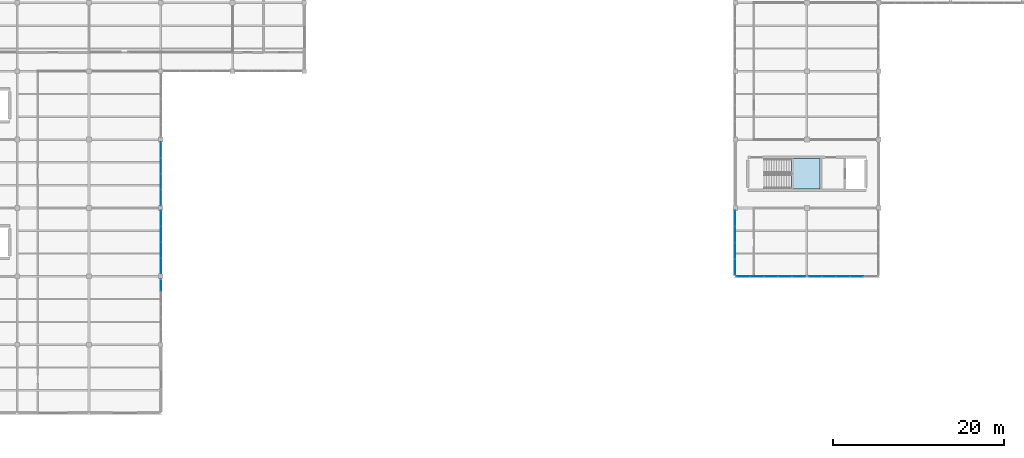
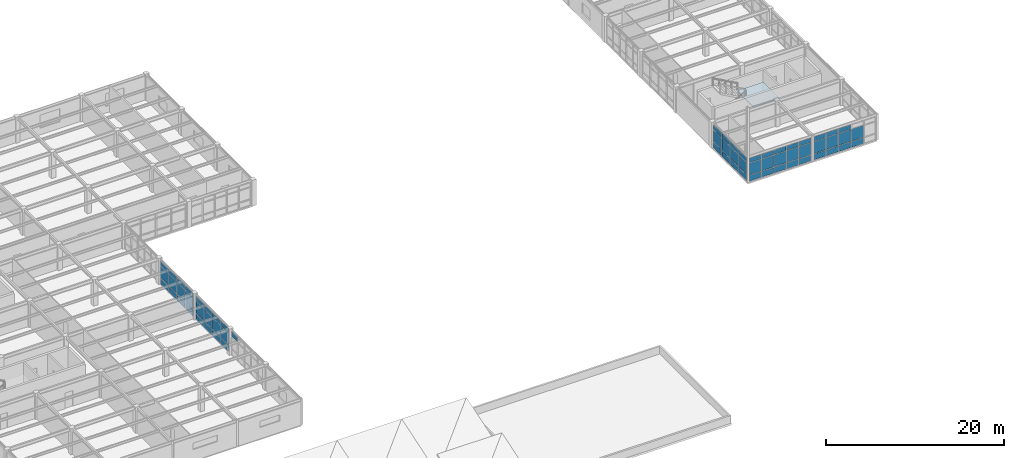
# One storey, part 34 of 53: 63 plates, 1 slab, 7 elements without a shape of their own.
"""IFC4 building model written with IfcOpenShell, lengths in metres."""

from ifc_helpers import new_model, si_unit, direction, frame, origin, origin_2d, place, context, subcontext, project, spatial, polyline, rectangle, outline, extrude, material, layer, layer_set, type_object, element, aggregate, save


model = new_model("IFC4")

# Units and contexts
model_context = context("Model", 3, precision=1e-05, world=origin(), true_north=direction((0.0, 1.0)))
body_context = subcontext(model_context, "Body", "Model", "MODEL_VIEW")
ifc_project = project(units=[si_unit("LENGTHUNIT", "METRE"), si_unit("AREAUNIT", "SQUARE_METRE"), si_unit("VOLUMEUNIT", "CUBIC_METRE"), si_unit("PLANEANGLEUNIT", "RADIAN"), si_unit("MASSUNIT", "GRAM", prefix="KILO")], contexts=[model_context])

# Site, building, storey
site_placement = place(None, origin())
site = spatial("IfcSite", under=ifc_project, at=site_placement, CompositionType="ELEMENT")
building_placement = place(site_placement, origin())
building = spatial("IfcBuilding", under=site, at=building_placement, Name="Kranzveld Transit Interchange", CompositionType="ELEMENT")
storey_placement = place(building_placement, frame((0.0, 0.0, 13.360107421875)))
storey = spatial("IfcBuildingStorey", under=building, at=storey_placement, Name="L03", CompositionType="ELEMENT", Elevation=13.360107421875)

# Curtain wall, plates
ifc_material_1 = material(Name="Bronze-anodised thermally broken aluminium", Category="aluminium")
ifc_layer_1 = layer(ifc_material_1, 0.179931640625)
ifc_layer_set_1 = layer_set([ifc_layer_1], Name="Bronze-anodised thermally broken aluminium")
curtain_wall_type_1 = type_object("IfcCurtainWallType", Name="Concourse Unitised Curtain Wall CW-1", PredefinedType="USERDEFINED", material=ifc_layer_set_1)
curtain_wall_1_placement = place(storey_placement, origin())
curtain_wall_1 = element("IfcCurtainWall", 1, at=curtain_wall_1_placement, inside=storey, type_object=curtain_wall_type_1, Name="L03 Curtain Wall 05/K-05/L", ObjectType="CURTAIN WALL", PredefinedType="USERDEFINED")
ifc_material_2 = material(Name="Solar-control double glazing", Category="glass")
ifc_layer_2 = layer(ifc_material_2, 0.028076171875)
ifc_layer_set_2 = layer_set([ifc_layer_2], Name="Solar-control double glazing")
plate_type_1 = type_object("IfcPlateType", Name="Curtain Panel Double Glazing 28", PredefinedType="CURTAIN_PANEL", material=ifc_layer_set_2)
plate_1_placement = place(storey_placement, frame((33.60009765625, 73.222412109375, 0.06494140625), z_axis=(0.0, 0.0, 1.0), x_axis=(0.0, 1.0, 0.0)))
plate_1 = element("IfcPlate", 2, at=plate_1_placement, type_object=plate_type_1, Name="CW-1 panel 1.1", PredefinedType="CURTAIN_PANEL", context=body_context, shape_type="SweptSolid", body=[
    extrude(rectangle(XDim=1.764892578125, YDim=0.028076171875, at=origin_2d()), origin(), (0.0, 0.0, 1.0), 0.802490234375),
])
plate_2_placement = place(storey_placement, frame((33.60009765625, 73.222412109375, 0.9326171875), z_axis=(0.0, 0.0, 1.0), x_axis=(0.0, 1.0, 0.0)))
plate_2 = element("IfcPlate", 3, at=plate_2_placement, type_object=plate_type_1, Name="CW-1 panel 1.2", PredefinedType="CURTAIN_PANEL", context=body_context, shape_type="SweptSolid", body=[
    extrude(rectangle(XDim=1.764892578125, YDim=0.028076171875, at=origin_2d()), origin(), (0.0, 0.0, 1.0), 1.614990234375),
])
plate_3_placement = place(storey_placement, frame((33.60009765625, 73.222412109375, 2.6123046875), z_axis=(0.0, 0.0, 1.0), x_axis=(0.0, 1.0, 0.0)))
plate_3 = element("IfcPlate", 4, at=plate_3_placement, type_object=plate_type_1, Name="CW-1 panel 1.3", PredefinedType="CURTAIN_PANEL", context=body_context, shape_type="SweptSolid", body=[
    extrude(rectangle(XDim=1.764892578125, YDim=0.028076171875, at=origin_2d()), origin(), (0.0, 0.0, 1.0), 0.6025390625),
])
plate_4_placement = place(storey_placement, frame((33.60009765625, 75.06884765625, 0.06494140625), z_axis=(0.0, 0.0, 1.0), x_axis=(0.0, 1.0, 0.0)))
plate_4 = element("IfcPlate", 5, at=plate_4_placement, type_object=plate_type_1, Name="CW-1 panel 2.1", PredefinedType="CURTAIN_PANEL", context=body_context, shape_type="SweptSolid", body=[
    extrude(rectangle(XDim=1.797607421875, YDim=0.028076171875, at=origin_2d()), origin(), (0.0, 0.0, 1.0), 0.802490234375),
])
plate_5_placement = place(storey_placement, frame((33.60009765625, 75.06884765625, 0.9326171875), z_axis=(0.0, 0.0, 1.0), x_axis=(0.0, 1.0, 0.0)))
plate_5 = element("IfcPlate", 6, at=plate_5_placement, type_object=plate_type_1, Name="CW-1 panel 2.2", PredefinedType="CURTAIN_PANEL", context=body_context, shape_type="SweptSolid", body=[
    extrude(rectangle(XDim=1.797607421875, YDim=0.028076171875, at=origin_2d()), origin(), (0.0, 0.0, 1.0), 1.614990234375),
])
plate_6_placement = place(storey_placement, frame((33.60009765625, 75.06884765625, 2.6123046875), z_axis=(0.0, 0.0, 1.0), x_axis=(0.0, 1.0, 0.0)))
plate_6 = element("IfcPlate", 7, at=plate_6_placement, type_object=plate_type_1, Name="CW-1 panel 2.3", PredefinedType="CURTAIN_PANEL", context=body_context, shape_type="SweptSolid", body=[
    extrude(rectangle(XDim=1.797607421875, YDim=0.028076171875, at=origin_2d()), origin(), (0.0, 0.0, 1.0), 0.6025390625),
])
plate_7_placement = place(storey_placement, frame((33.60009765625, 76.93115234375, 0.06494140625), z_axis=(0.0, 0.0, 1.0), x_axis=(0.0, 1.0, 0.0)))
plate_7 = element("IfcPlate", 8, at=plate_7_placement, type_object=plate_type_1, Name="CW-1 panel 3.1", PredefinedType="CURTAIN_PANEL", context=body_context, shape_type="SweptSolid", body=[
    extrude(rectangle(XDim=1.797607421875, YDim=0.028076171875, at=origin_2d()), origin(), (0.0, 0.0, 1.0), 0.802490234375),
])
plate_8_placement = place(storey_placement, frame((33.60009765625, 76.93115234375, 0.9326171875), z_axis=(0.0, 0.0, 1.0), x_axis=(0.0, 1.0, 0.0)))
plate_8 = element("IfcPlate", 9, at=plate_8_placement, type_object=plate_type_1, Name="CW-1 panel 3.2", PredefinedType="CURTAIN_PANEL", context=body_context, shape_type="SweptSolid", body=[
    extrude(rectangle(XDim=1.797607421875, YDim=0.028076171875, at=origin_2d()), origin(), (0.0, 0.0, 1.0), 1.614990234375),
])
plate_9_placement = place(storey_placement, frame((33.60009765625, 76.93115234375, 2.6123046875), z_axis=(0.0, 0.0, 1.0), x_axis=(0.0, 1.0, 0.0)))
plate_9 = element("IfcPlate", 10, at=plate_9_placement, type_object=plate_type_1, Name="CW-1 panel 3.3", PredefinedType="CURTAIN_PANEL", context=body_context, shape_type="SweptSolid", body=[
    extrude(rectangle(XDim=1.797607421875, YDim=0.028076171875, at=origin_2d()), origin(), (0.0, 0.0, 1.0), 0.6025390625),
])
plate_10_placement = place(storey_placement, frame((33.60009765625, 78.777587890625, 0.06494140625), z_axis=(0.0, 0.0, 1.0), x_axis=(0.0, 1.0, 0.0)))
plate_10 = element("IfcPlate", 11, at=plate_10_placement, type_object=plate_type_1, Name="CW-1 panel 4.1", PredefinedType="CURTAIN_PANEL", context=body_context, shape_type="SweptSolid", body=[
    extrude(rectangle(XDim=1.764892578125, YDim=0.028076171875, at=origin_2d()), origin(), (0.0, 0.0, 1.0), 0.802490234375),
])
plate_11_placement = place(storey_placement, frame((33.60009765625, 78.777587890625, 0.9326171875), z_axis=(0.0, 0.0, 1.0), x_axis=(0.0, 1.0, 0.0)))
plate_11 = element("IfcPlate", 12, at=plate_11_placement, type_object=plate_type_1, Name="CW-1 panel 4.2", PredefinedType="CURTAIN_PANEL", context=body_context, shape_type="SweptSolid", body=[
    extrude(rectangle(XDim=1.764892578125, YDim=0.028076171875, at=origin_2d()), origin(), (0.0, 0.0, 1.0), 1.614990234375),
])
plate_12_placement = place(storey_placement, frame((33.60009765625, 78.777587890625, 2.6123046875), z_axis=(0.0, 0.0, 1.0), x_axis=(0.0, 1.0, 0.0)))
plate_12 = element("IfcPlate", 13, at=plate_12_placement, type_object=plate_type_1, Name="CW-1 panel 4.3", PredefinedType="CURTAIN_PANEL", context=body_context, shape_type="SweptSolid", body=[
    extrude(rectangle(XDim=1.764892578125, YDim=0.028076171875, at=origin_2d()), origin(), (0.0, 0.0, 1.0), 0.6025390625),
])
aggregate(curtain_wall_1, [plate_1, plate_2, plate_3, plate_4, plate_5, plate_6, plate_7, plate_8, plate_9, plate_10, plate_11, plate_12])

# Curtain wall, plate
ifc_material_3 = material(Name="Bronze-anodised thermally broken aluminium", Category="aluminium")
ifc_layer_3 = layer(ifc_material_3, 0.1650390625)
ifc_layer_set_3 = layer_set([ifc_layer_3], Name="Bronze-anodised thermally broken aluminium")
curtain_wall_type_2 = type_object("IfcCurtainWallType", Name="Sunny Court Arcade Curtain Wall CW-2", PredefinedType="USERDEFINED", material=ifc_layer_set_3)
curtain_wall_2_placement = place(storey_placement, origin())
curtain_wall_2 = element("IfcCurtainWall", 14, at=curtain_wall_2_placement, inside=storey, type_object=curtain_wall_type_2, Name="L03 Curtain Wall 05/H-05/J", ObjectType="CURTAIN WALL", PredefinedType="USERDEFINED")
ifc_material_4 = material(Name="Pretoria red-purple clinker clay face brick, 35 MPa", Category="masonry")
ifc_layer_4 = layer(ifc_material_4, 0.050048828125)
ifc_layer_set_4 = layer_set([ifc_layer_4], Name="Pretoria red-purple clinker clay face brick, 35 MPa")
plate_type_2 = type_object("IfcPlateType", Name="Curtain Spandrel Clinker Tile 50", PredefinedType="CURTAIN_PANEL", material=ifc_layer_set_4)
plate_13_placement = place(storey_placement, frame((33.60009765625, 62.9638671875, 2.60986328125), z_axis=(0.0, 0.0, 1.0), x_axis=(0.0, 1.0, 0.0)))
plate_13 = element("IfcPlate", 15, at=plate_13_placement, type_object=plate_type_2, Name="CW-2 panel 5.3", PredefinedType="CURTAIN_PANEL", context=body_context, shape_type="SweptSolid", body=[
    extrude(rectangle(XDim=1.392578125, YDim=0.050048828125, at=origin_2d()), origin(), (0.0, 0.0, 1.0), 0.610107421875),
])
aggregate(curtain_wall_2, [plate_13])

# Curtain wall, plates
curtain_wall_3_placement = place(storey_placement, origin())
curtain_wall_3 = element("IfcCurtainWall", 16, at=curtain_wall_3_placement, inside=storey, type_object=curtain_wall_type_2, Name="L03 Curtain Wall 14/J-15/J", ObjectType="CURTAIN WALL", PredefinedType="USERDEFINED")
plate_14_placement = place(storey_placement, frame((110.15869140625, 64.0, 0.059814453125), z_axis=(0.0, 0.0, 1.0), x_axis=(1.0, 0.0, 0.0)))
plate_14 = element("IfcPlate", 17, at=plate_14_placement, type_object=plate_type_2, Name="CW-2 panel 1.1", PredefinedType="CURTAIN_PANEL", context=body_context, shape_type="SweptSolid", body=[
    extrude(rectangle(XDim=1.53125, YDim=0.050048828125, at=origin_2d()), origin(), (0.0, 0.0, 1.0), 0.81005859375),
])
plate_15_placement = place(storey_placement, frame((110.15869140625, 64.0, 0.929931640625), z_axis=(0.0, 0.0, 1.0), x_axis=(1.0, 0.0, 0.0)))
plate_15 = element("IfcPlate", 18, at=plate_15_placement, type_object=plate_type_2, Name="CW-2 panel 1.2", PredefinedType="CURTAIN_PANEL", context=body_context, shape_type="SweptSolid", body=[
    extrude(rectangle(XDim=1.53125, YDim=0.050048828125, at=origin_2d()), origin(), (0.0, 0.0, 1.0), 1.6201171875),
])
plate_16_placement = place(storey_placement, frame((110.15869140625, 64.0, 2.60986328125), z_axis=(0.0, 0.0, 1.0), x_axis=(1.0, 0.0, 0.0)))
plate_16 = element("IfcPlate", 19, at=plate_16_placement, type_object=plate_type_2, Name="CW-2 panel 1.3", PredefinedType="CURTAIN_PANEL", context=body_context, shape_type="SweptSolid", body=[
    extrude(rectangle(XDim=1.53125, YDim=0.050048828125, at=origin_2d()), origin(), (0.0, 0.0, 1.0), 0.610107421875),
])
plate_17_placement = place(storey_placement, frame((111.771240234375, 64.0, 0.059814453125), z_axis=(0.0, 0.0, 1.0), x_axis=(1.0, 0.0, 0.0)))
plate_17 = element("IfcPlate", 20, at=plate_17_placement, type_object=plate_type_2, Name="CW-2 panel 2.1", PredefinedType="CURTAIN_PANEL", context=body_context, shape_type="SweptSolid", body=[
    extrude(rectangle(XDim=1.563720703125, YDim=0.050048828125, at=origin_2d()), origin(), (0.0, 0.0, 1.0), 0.81005859375),
])
plate_18_placement = place(storey_placement, frame((111.771240234375, 64.0, 0.929931640625), z_axis=(0.0, 0.0, 1.0), x_axis=(1.0, 0.0, 0.0)))
plate_18 = element("IfcPlate", 21, at=plate_18_placement, type_object=plate_type_2, Name="CW-2 panel 2.2", PredefinedType="CURTAIN_PANEL", context=body_context, shape_type="SweptSolid", body=[
    extrude(rectangle(XDim=1.563720703125, YDim=0.050048828125, at=origin_2d()), origin(), (0.0, 0.0, 1.0), 1.6201171875),
])
plate_19_placement = place(storey_placement, frame((111.771240234375, 64.0, 2.60986328125), z_axis=(0.0, 0.0, 1.0), x_axis=(1.0, 0.0, 0.0)))
plate_19 = element("IfcPlate", 22, at=plate_19_placement, type_object=plate_type_2, Name="CW-2 panel 2.3", PredefinedType="CURTAIN_PANEL", context=body_context, shape_type="SweptSolid", body=[
    extrude(rectangle(XDim=1.563720703125, YDim=0.050048828125, at=origin_2d()), origin(), (0.0, 0.0, 1.0), 0.610107421875),
])
plate_20_placement = place(storey_placement, frame((113.39990234375, 64.0, 0.059814453125), z_axis=(0.0, 0.0, 1.0), x_axis=(1.0, 0.0, 0.0)))
plate_20 = element("IfcPlate", 23, at=plate_20_placement, type_object=plate_type_2, Name="CW-2 panel 3.1", PredefinedType="CURTAIN_PANEL", context=body_context, shape_type="SweptSolid", body=[
    extrude(rectangle(XDim=1.563720703125, YDim=0.050048828125, at=origin_2d()), origin(), (0.0, 0.0, 1.0), 0.81005859375),
])
plate_21_placement = place(storey_placement, frame((113.39990234375, 64.0, 0.929931640625), z_axis=(0.0, 0.0, 1.0), x_axis=(1.0, 0.0, 0.0)))
plate_21 = element("IfcPlate", 24, at=plate_21_placement, type_object=plate_type_2, Name="CW-2 panel 3.2", PredefinedType="CURTAIN_PANEL", context=body_context, shape_type="SweptSolid", body=[
    extrude(rectangle(XDim=1.563720703125, YDim=0.050048828125, at=origin_2d()), origin(), (0.0, 0.0, 1.0), 1.6201171875),
])
plate_22_placement = place(storey_placement, frame((113.39990234375, 64.0, 2.60986328125), z_axis=(0.0, 0.0, 1.0), x_axis=(1.0, 0.0, 0.0)))
plate_22 = element("IfcPlate", 25, at=plate_22_placement, type_object=plate_type_2, Name="CW-2 panel 3.3", PredefinedType="CURTAIN_PANEL", context=body_context, shape_type="SweptSolid", body=[
    extrude(rectangle(XDim=1.563720703125, YDim=0.050048828125, at=origin_2d()), origin(), (0.0, 0.0, 1.0), 0.610107421875),
])
plate_23_placement = place(storey_placement, frame((115.02880859375, 64.0, 0.059814453125), z_axis=(0.0, 0.0, 1.0), x_axis=(1.0, 0.0, 0.0)))
plate_23 = element("IfcPlate", 26, at=plate_23_placement, type_object=plate_type_2, Name="CW-2 panel 4.1", PredefinedType="CURTAIN_PANEL", context=body_context, shape_type="SweptSolid", body=[
    extrude(rectangle(XDim=1.563720703125, YDim=0.050048828125, at=origin_2d()), origin(), (0.0, 0.0, 1.0), 0.81005859375),
])
plate_24_placement = place(storey_placement, frame((115.02880859375, 64.0, 0.929931640625), z_axis=(0.0, 0.0, 1.0), x_axis=(1.0, 0.0, 0.0)))
plate_24 = element("IfcPlate", 27, at=plate_24_placement, type_object=plate_type_2, Name="CW-2 panel 4.2", PredefinedType="CURTAIN_PANEL", context=body_context, shape_type="SweptSolid", body=[
    extrude(rectangle(XDim=1.563720703125, YDim=0.050048828125, at=origin_2d()), origin(), (0.0, 0.0, 1.0), 1.6201171875),
])
aggregate(curtain_wall_3, [plate_14, plate_15, plate_16, plate_17, plate_18, plate_19, plate_20, plate_21, plate_22, plate_23, plate_24])

ifc_material_5 = material(Name="Bronze-anodised thermally broken aluminium", Category="aluminium")
ifc_layer_5 = layer(ifc_material_5, 0.159912109375)
ifc_layer_set_5 = layer_set([ifc_layer_5], Name="Bronze-anodised thermally broken aluminium")
curtain_wall_type_3 = type_object("IfcCurtainWallType", Name="Bus Boarding Glazed Screen CW-3", PredefinedType="USERDEFINED", material=ifc_layer_set_5)
curtain_wall_4_placement = place(storey_placement, origin())
curtain_wall_4 = element("IfcCurtainWall", 28, at=curtain_wall_4_placement, inside=storey, type_object=curtain_wall_type_3, Name="L03 Curtain Wall 05/J-05/K", ObjectType="CURTAIN WALL", PredefinedType="USERDEFINED")
ifc_material_6 = material(Name="Bronze-anodised thermally broken aluminium", Category="aluminium")
ifc_layer_6 = layer(ifc_material_6, 0.053955078125)
ifc_layer_set_6 = layer_set([ifc_layer_6], Name="Bronze-anodised thermally broken aluminium")
plate_type_3 = type_object("IfcPlateType", Name="Curtain Spandrel Insulated Alu 54", PredefinedType="CURTAIN_PANEL", material=ifc_layer_set_6)
plate_25_placement = place(storey_placement, frame((33.60009765625, 65.22119140625, 0.06494140625), z_axis=(0.0, 0.0, 1.0), x_axis=(0.0, 1.0, 0.0)))
plate_25 = element("IfcPlate", 29, at=plate_25_placement, type_object=plate_type_3, Name="CW-3 panel 1.1", PredefinedType="CURTAIN_PANEL", context=body_context, shape_type="SweptSolid", body=[
    extrude(rectangle(XDim=1.7724609375, YDim=0.053955078125, at=origin_2d()), origin(), (0.0, 0.0, 1.0), 0.802490234375),
])
plate_26_placement = place(storey_placement, frame((33.60009765625, 65.22119140625, 0.9326171875), z_axis=(0.0, 0.0, 1.0), x_axis=(0.0, 1.0, 0.0)))
plate_26 = element("IfcPlate", 30, at=plate_26_placement, type_object=plate_type_3, Name="CW-3 panel 1.2", PredefinedType="CURTAIN_PANEL", context=body_context, shape_type="SweptSolid", body=[
    extrude(rectangle(XDim=1.7724609375, YDim=0.053955078125, at=origin_2d()), origin(), (0.0, 0.0, 1.0), 1.614990234375),
])
plate_27_placement = place(storey_placement, frame((33.60009765625, 65.22119140625, 2.6123046875), z_axis=(0.0, 0.0, 1.0), x_axis=(0.0, 1.0, 0.0)))
plate_27 = element("IfcPlate", 31, at=plate_27_placement, type_object=plate_type_3, Name="CW-3 panel 1.3", PredefinedType="CURTAIN_PANEL", context=body_context, shape_type="SweptSolid", body=[
    extrude(rectangle(XDim=1.7724609375, YDim=0.053955078125, at=origin_2d()), origin(), (0.0, 0.0, 1.0), 0.6025390625),
])
plate_28_placement = place(storey_placement, frame((33.60009765625, 67.06884765625, 0.06494140625), z_axis=(0.0, 0.0, 1.0), x_axis=(0.0, 1.0, 0.0)))
plate_28 = element("IfcPlate", 32, at=plate_28_placement, type_object=plate_type_3, Name="CW-3 panel 2.1", PredefinedType="CURTAIN_PANEL", context=body_context, shape_type="SweptSolid", body=[
    extrude(rectangle(XDim=1.802490234375, YDim=0.053955078125, at=origin_2d()), origin(), (0.0, 0.0, 1.0), 0.802490234375),
])
plate_29_placement = place(storey_placement, frame((33.60009765625, 67.06884765625, 0.9326171875), z_axis=(0.0, 0.0, 1.0), x_axis=(0.0, 1.0, 0.0)))
plate_29 = element("IfcPlate", 33, at=plate_29_placement, type_object=plate_type_3, Name="CW-3 panel 2.2", PredefinedType="CURTAIN_PANEL", context=body_context, shape_type="SweptSolid", body=[
    extrude(rectangle(XDim=1.802490234375, YDim=0.053955078125, at=origin_2d()), origin(), (0.0, 0.0, 1.0), 1.614990234375),
])
plate_30_placement = place(storey_placement, frame((33.60009765625, 67.06884765625, 2.6123046875), z_axis=(0.0, 0.0, 1.0), x_axis=(0.0, 1.0, 0.0)))
plate_30 = element("IfcPlate", 34, at=plate_30_placement, type_object=plate_type_3, Name="CW-3 panel 2.3", PredefinedType="CURTAIN_PANEL", context=body_context, shape_type="SweptSolid", body=[
    extrude(rectangle(XDim=1.802490234375, YDim=0.053955078125, at=origin_2d()), origin(), (0.0, 0.0, 1.0), 0.6025390625),
])
plate_31_placement = place(storey_placement, frame((33.60009765625, 68.93115234375, 0.06494140625), z_axis=(0.0, 0.0, 1.0), x_axis=(0.0, 1.0, 0.0)))
plate_31 = element("IfcPlate", 35, at=plate_31_placement, type_object=plate_type_3, Name="CW-3 panel 3.1", PredefinedType="CURTAIN_PANEL", context=body_context, shape_type="SweptSolid", body=[
    extrude(rectangle(XDim=1.802490234375, YDim=0.053955078125, at=origin_2d()), origin(), (0.0, 0.0, 1.0), 0.802490234375),
])
plate_32_placement = place(storey_placement, frame((33.60009765625, 68.93115234375, 0.9326171875), z_axis=(0.0, 0.0, 1.0), x_axis=(0.0, 1.0, 0.0)))
plate_32 = element("IfcPlate", 36, at=plate_32_placement, type_object=plate_type_3, Name="CW-3 panel 3.2", PredefinedType="CURTAIN_PANEL", context=body_context, shape_type="SweptSolid", body=[
    extrude(rectangle(XDim=1.802490234375, YDim=0.053955078125, at=origin_2d()), origin(), (0.0, 0.0, 1.0), 1.614990234375),
])
plate_33_placement = place(storey_placement, frame((33.60009765625, 68.93115234375, 2.6123046875), z_axis=(0.0, 0.0, 1.0), x_axis=(0.0, 1.0, 0.0)))
plate_33 = element("IfcPlate", 37, at=plate_33_placement, type_object=plate_type_3, Name="CW-3 panel 3.3", PredefinedType="CURTAIN_PANEL", context=body_context, shape_type="SweptSolid", body=[
    extrude(rectangle(XDim=1.802490234375, YDim=0.053955078125, at=origin_2d()), origin(), (0.0, 0.0, 1.0), 0.6025390625),
])
plate_34_placement = place(storey_placement, frame((33.60009765625, 70.77880859375, 0.06494140625), z_axis=(0.0, 0.0, 1.0), x_axis=(0.0, 1.0, 0.0)))
plate_34 = element("IfcPlate", 38, at=plate_34_placement, type_object=plate_type_3, Name="CW-3 panel 4.1", PredefinedType="CURTAIN_PANEL", context=body_context, shape_type="SweptSolid", body=[
    extrude(rectangle(XDim=1.7724609375, YDim=0.053955078125, at=origin_2d()), origin(), (0.0, 0.0, 1.0), 0.802490234375),
])
plate_35_placement = place(storey_placement, frame((33.60009765625, 70.77880859375, 0.9326171875), z_axis=(0.0, 0.0, 1.0), x_axis=(0.0, 1.0, 0.0)))
plate_35 = element("IfcPlate", 39, at=plate_35_placement, type_object=plate_type_3, Name="CW-3 panel 4.2", PredefinedType="CURTAIN_PANEL", context=body_context, shape_type="SweptSolid", body=[
    extrude(rectangle(XDim=1.7724609375, YDim=0.053955078125, at=origin_2d()), origin(), (0.0, 0.0, 1.0), 1.614990234375),
])
plate_36_placement = place(storey_placement, frame((33.60009765625, 70.77880859375, 2.6123046875), z_axis=(0.0, 0.0, 1.0), x_axis=(0.0, 1.0, 0.0)))
plate_36 = element("IfcPlate", 40, at=plate_36_placement, type_object=plate_type_3, Name="CW-3 panel 4.3", PredefinedType="CURTAIN_PANEL", context=body_context, shape_type="SweptSolid", body=[
    extrude(rectangle(XDim=1.7724609375, YDim=0.053955078125, at=origin_2d()), origin(), (0.0, 0.0, 1.0), 0.6025390625),
])
aggregate(curtain_wall_4, [plate_25, plate_26, plate_27, plate_28, plate_29, plate_30, plate_31, plate_32, plate_33, plate_34, plate_35, plate_36])

curtain_wall_5_placement = place(storey_placement, origin())
curtain_wall_5 = element("IfcCurtainWall", 41, at=curtain_wall_5_placement, inside=storey, type_object=curtain_wall_type_3, Name="L03 Curtain Wall 13/J-13/K", ObjectType="CURTAIN WALL", PredefinedType="USERDEFINED")
plate_37_placement = place(storey_placement, frame((100.800048828125, 65.094482421875, 0.06494140625), z_axis=(0.0, 0.0, 1.0), x_axis=(0.0, 1.0, 0.0)))
plate_37 = element("IfcPlate", 42, at=plate_37_placement, type_object=plate_type_3, Name="CW-3 panel 1.1", PredefinedType="CURTAIN_PANEL", context=body_context, shape_type="SweptSolid", body=[
    extrude(rectangle(XDim=1.808837890625, YDim=0.053955078125, at=origin_2d()), origin(), (0.0, 0.0, 1.0), 0.802490234375),
])
plate_38_placement = place(storey_placement, frame((100.800048828125, 65.094482421875, 0.9326171875), z_axis=(0.0, 0.0, 1.0), x_axis=(0.0, 1.0, 0.0)))
plate_38 = element("IfcPlate", 43, at=plate_38_placement, type_object=plate_type_3, Name="CW-3 panel 1.2", PredefinedType="CURTAIN_PANEL", context=body_context, shape_type="SweptSolid", body=[
    extrude(rectangle(XDim=1.808837890625, YDim=0.053955078125, at=origin_2d()), origin(), (0.0, 0.0, 1.0), 1.614990234375),
])
plate_39_placement = place(storey_placement, frame((100.800048828125, 65.094482421875, 2.6123046875), z_axis=(0.0, 0.0, 1.0), x_axis=(0.0, 1.0, 0.0)))
plate_39 = element("IfcPlate", 44, at=plate_39_placement, type_object=plate_type_3, Name="CW-3 panel 1.3", PredefinedType="CURTAIN_PANEL", context=body_context, shape_type="SweptSolid", body=[
    extrude(rectangle(XDim=1.808837890625, YDim=0.053955078125, at=origin_2d()), origin(), (0.0, 0.0, 1.0), 0.6025390625),
])
plate_40_placement = place(storey_placement, frame((100.800048828125, 66.978271484375, 0.06494140625), z_axis=(0.0, 0.0, 1.0), x_axis=(0.0, 1.0, 0.0)))
plate_40 = element("IfcPlate", 45, at=plate_40_placement, type_object=plate_type_3, Name="CW-3 panel 2.1", PredefinedType="CURTAIN_PANEL", context=body_context, shape_type="SweptSolid", body=[
    extrude(rectangle(XDim=1.838623046875, YDim=0.053955078125, at=origin_2d()), origin(), (0.0, 0.0, 1.0), 0.802490234375),
])
plate_41_placement = place(storey_placement, frame((100.800048828125, 66.978271484375, 0.9326171875), z_axis=(0.0, 0.0, 1.0), x_axis=(0.0, 1.0, 0.0)))
plate_41 = element("IfcPlate", 46, at=plate_41_placement, type_object=plate_type_3, Name="CW-3 panel 2.2", PredefinedType="CURTAIN_PANEL", context=body_context, shape_type="SweptSolid", body=[
    extrude(rectangle(XDim=1.838623046875, YDim=0.053955078125, at=origin_2d()), origin(), (0.0, 0.0, 1.0), 1.614990234375),
])
plate_42_placement = place(storey_placement, frame((100.800048828125, 66.978271484375, 2.6123046875), z_axis=(0.0, 0.0, 1.0), x_axis=(0.0, 1.0, 0.0)))
plate_42 = element("IfcPlate", 47, at=plate_42_placement, type_object=plate_type_3, Name="CW-3 panel 2.3", PredefinedType="CURTAIN_PANEL", context=body_context, shape_type="SweptSolid", body=[
    extrude(rectangle(XDim=1.838623046875, YDim=0.053955078125, at=origin_2d()), origin(), (0.0, 0.0, 1.0), 0.6025390625),
])
plate_43_placement = place(storey_placement, frame((100.800048828125, 68.876953125, 0.06494140625), z_axis=(0.0, 0.0, 1.0), x_axis=(0.0, 1.0, 0.0)))
plate_43 = element("IfcPlate", 48, at=plate_43_placement, type_object=plate_type_3, Name="CW-3 panel 3.1", PredefinedType="CURTAIN_PANEL", context=body_context, shape_type="SweptSolid", body=[
    extrude(rectangle(XDim=1.838623046875, YDim=0.053955078125, at=origin_2d()), origin(), (0.0, 0.0, 1.0), 0.802490234375),
])
plate_44_placement = place(storey_placement, frame((100.800048828125, 68.876953125, 0.9326171875), z_axis=(0.0, 0.0, 1.0), x_axis=(0.0, 1.0, 0.0)))
plate_44 = element("IfcPlate", 49, at=plate_44_placement, type_object=plate_type_3, Name="CW-3 panel 3.2", PredefinedType="CURTAIN_PANEL", context=body_context, shape_type="SweptSolid", body=[
    extrude(rectangle(XDim=1.838623046875, YDim=0.053955078125, at=origin_2d()), origin(), (0.0, 0.0, 1.0), 1.614990234375),
])
plate_45_placement = place(storey_placement, frame((100.800048828125, 68.876953125, 2.6123046875), z_axis=(0.0, 0.0, 1.0), x_axis=(0.0, 1.0, 0.0)))
plate_45 = element("IfcPlate", 50, at=plate_45_placement, type_object=plate_type_3, Name="CW-3 panel 3.3", PredefinedType="CURTAIN_PANEL", context=body_context, shape_type="SweptSolid", body=[
    extrude(rectangle(XDim=1.838623046875, YDim=0.053955078125, at=origin_2d()), origin(), (0.0, 0.0, 1.0), 0.6025390625),
])
plate_46_placement = place(storey_placement, frame((100.800048828125, 70.7607421875, 0.06494140625), z_axis=(0.0, 0.0, 1.0), x_axis=(0.0, 1.0, 0.0)))
plate_46 = element("IfcPlate", 51, at=plate_46_placement, type_object=plate_type_3, Name="CW-3 panel 4.1", PredefinedType="CURTAIN_PANEL", context=body_context, shape_type="SweptSolid", body=[
    extrude(rectangle(XDim=1.808837890625, YDim=0.053955078125, at=origin_2d()), origin(), (0.0, 0.0, 1.0), 0.802490234375),
])
plate_47_placement = place(storey_placement, frame((100.800048828125, 70.7607421875, 0.9326171875), z_axis=(0.0, 0.0, 1.0), x_axis=(0.0, 1.0, 0.0)))
plate_47 = element("IfcPlate", 52, at=plate_47_placement, type_object=plate_type_3, Name="CW-3 panel 4.2", PredefinedType="CURTAIN_PANEL", context=body_context, shape_type="SweptSolid", body=[
    extrude(rectangle(XDim=1.808837890625, YDim=0.053955078125, at=origin_2d()), origin(), (0.0, 0.0, 1.0), 1.614990234375),
])
plate_48_placement = place(storey_placement, frame((100.800048828125, 70.7607421875, 2.6123046875), z_axis=(0.0, 0.0, 1.0), x_axis=(0.0, 1.0, 0.0)))
plate_48 = element("IfcPlate", 53, at=plate_48_placement, type_object=plate_type_3, Name="CW-3 panel 4.3", PredefinedType="CURTAIN_PANEL", context=body_context, shape_type="SweptSolid", body=[
    extrude(rectangle(XDim=1.808837890625, YDim=0.053955078125, at=origin_2d()), origin(), (0.0, 0.0, 1.0), 0.6025390625),
])
aggregate(curtain_wall_5, [plate_37, plate_38, plate_39, plate_40, plate_41, plate_42, plate_43, plate_44, plate_45, plate_46, plate_47, plate_48])

ifc_material_7 = material(Name="Bronze-anodised thermally broken aluminium", Category="aluminium")
ifc_layer_7 = layer(ifc_material_7, 0.155029296875)
ifc_layer_set_7 = layer_set([ifc_layer_7], Name="Bronze-anodised thermally broken aluminium")
curtain_wall_type_4 = type_object("IfcCurtainWallType", Name="Operations Courtyard Glazed Screen CW-6", PredefinedType="USERDEFINED", material=ifc_layer_set_7)
curtain_wall_6_placement = place(storey_placement, origin())
curtain_wall_6 = element("IfcCurtainWall", 54, at=curtain_wall_6_placement, inside=storey, type_object=curtain_wall_type_4, Name="L03 Curtain Wall 13/J-14/J", ObjectType="CURTAIN WALL", PredefinedType="USERDEFINED")
ifc_material_8 = material(Name="Ochre Pretoria sandstone cladding, 45 MPa", Category="masonry")
ifc_layer_8 = layer(ifc_material_8, 0.0458984375)
ifc_layer_set_8 = layer_set([ifc_layer_8], Name="Ochre Pretoria sandstone cladding, 45 MPa")
plate_type_4 = type_object("IfcPlateType", Name="Curtain Spandrel Sandstone 46", PredefinedType="CURTAIN_PANEL", material=ifc_layer_set_8)
plate_49_placement = place(storey_placement, frame((101.7587890625, 64.0, 0.059814453125), z_axis=(0.0, 0.0, 1.0), x_axis=(1.0, 0.0, 0.0)))
plate_49 = element("IfcPlate", 55, at=plate_49_placement, type_object=plate_type_4, Name="CW-6 panel 1.1", PredefinedType="CURTAIN_PANEL", context=body_context, shape_type="SweptSolid", body=[
    extrude(rectangle(XDim=1.53125, YDim=0.0458984375, at=origin_2d()), origin(), (0.0, 0.0, 1.0), 0.81005859375),
])
plate_50_placement = place(storey_placement, frame((101.7587890625, 64.0, 0.929931640625), z_axis=(0.0, 0.0, 1.0), x_axis=(1.0, 0.0, 0.0)))
plate_50 = element("IfcPlate", 56, at=plate_50_placement, type_object=plate_type_4, Name="CW-6 panel 1.2", PredefinedType="CURTAIN_PANEL", context=body_context, shape_type="SweptSolid", body=[
    extrude(rectangle(XDim=1.53125, YDim=0.0458984375, at=origin_2d()), origin(), (0.0, 0.0, 1.0), 1.6201171875),
])
plate_51_placement = place(storey_placement, frame((101.7587890625, 64.0, 2.60986328125), z_axis=(0.0, 0.0, 1.0), x_axis=(1.0, 0.0, 0.0)))
plate_51 = element("IfcPlate", 57, at=plate_51_placement, type_object=plate_type_4, Name="CW-6 panel 1.3", PredefinedType="CURTAIN_PANEL", context=body_context, shape_type="SweptSolid", body=[
    extrude(rectangle(XDim=1.53125, YDim=0.0458984375, at=origin_2d()), origin(), (0.0, 0.0, 1.0), 0.610107421875),
])
plate_52_placement = place(storey_placement, frame((103.371337890625, 64.0, 0.059814453125), z_axis=(0.0, 0.0, 1.0), x_axis=(1.0, 0.0, 0.0)))
plate_52 = element("IfcPlate", 58, at=plate_52_placement, type_object=plate_type_4, Name="CW-6 panel 2.1", PredefinedType="CURTAIN_PANEL", context=body_context, shape_type="SweptSolid", body=[
    extrude(rectangle(XDim=1.563720703125, YDim=0.0458984375, at=origin_2d()), origin(), (0.0, 0.0, 1.0), 0.81005859375),
])
plate_53_placement = place(storey_placement, frame((103.371337890625, 64.0, 0.929931640625), z_axis=(0.0, 0.0, 1.0), x_axis=(1.0, 0.0, 0.0)))
plate_53 = element("IfcPlate", 59, at=plate_53_placement, type_object=plate_type_4, Name="CW-6 panel 2.2", PredefinedType="CURTAIN_PANEL", context=body_context, shape_type="SweptSolid", body=[
    extrude(rectangle(XDim=1.563720703125, YDim=0.0458984375, at=origin_2d()), origin(), (0.0, 0.0, 1.0), 1.6201171875),
])
plate_54_placement = place(storey_placement, frame((103.371337890625, 64.0, 2.60986328125), z_axis=(0.0, 0.0, 1.0), x_axis=(1.0, 0.0, 0.0)))
plate_54 = element("IfcPlate", 60, at=plate_54_placement, type_object=plate_type_4, Name="CW-6 panel 2.3", PredefinedType="CURTAIN_PANEL", context=body_context, shape_type="SweptSolid", body=[
    extrude(rectangle(XDim=1.563720703125, YDim=0.0458984375, at=origin_2d()), origin(), (0.0, 0.0, 1.0), 0.610107421875),
])
plate_55_placement = place(storey_placement, frame((105.0, 64.0, 0.059814453125), z_axis=(0.0, 0.0, 1.0), x_axis=(1.0, 0.0, 0.0)))
plate_55 = element("IfcPlate", 61, at=plate_55_placement, type_object=plate_type_4, Name="CW-6 panel 3.1", PredefinedType="CURTAIN_PANEL", context=body_context, shape_type="SweptSolid", body=[
    extrude(rectangle(XDim=1.563720703125, YDim=0.0458984375, at=origin_2d()), origin(), (0.0, 0.0, 1.0), 0.81005859375),
])
plate_56_placement = place(storey_placement, frame((105.0, 64.0, 0.929931640625), z_axis=(0.0, 0.0, 1.0), x_axis=(1.0, 0.0, 0.0)))
plate_56 = element("IfcPlate", 62, at=plate_56_placement, type_object=plate_type_4, Name="CW-6 panel 3.2", PredefinedType="CURTAIN_PANEL", context=body_context, shape_type="SweptSolid", body=[
    extrude(rectangle(XDim=1.563720703125, YDim=0.0458984375, at=origin_2d()), origin(), (0.0, 0.0, 1.0), 1.6201171875),
])
plate_57_placement = place(storey_placement, frame((105.0, 64.0, 2.60986328125), z_axis=(0.0, 0.0, 1.0), x_axis=(1.0, 0.0, 0.0)))
plate_57 = element("IfcPlate", 63, at=plate_57_placement, type_object=plate_type_4, Name="CW-6 panel 3.3", PredefinedType="CURTAIN_PANEL", context=body_context, shape_type="SweptSolid", body=[
    extrude(rectangle(XDim=1.563720703125, YDim=0.0458984375, at=origin_2d()), origin(), (0.0, 0.0, 1.0), 0.610107421875),
])
plate_58_placement = place(storey_placement, frame((106.628662109375, 64.0, 0.059814453125), z_axis=(0.0, 0.0, 1.0), x_axis=(1.0, 0.0, 0.0)))
plate_58 = element("IfcPlate", 64, at=plate_58_placement, type_object=plate_type_4, Name="CW-6 panel 4.1", PredefinedType="CURTAIN_PANEL", context=body_context, shape_type="SweptSolid", body=[
    extrude(rectangle(XDim=1.563720703125, YDim=0.0458984375, at=origin_2d()), origin(), (0.0, 0.0, 1.0), 0.81005859375),
])
plate_59_placement = place(storey_placement, frame((106.628662109375, 64.0, 0.929931640625), z_axis=(0.0, 0.0, 1.0), x_axis=(1.0, 0.0, 0.0)))
plate_59 = element("IfcPlate", 65, at=plate_59_placement, type_object=plate_type_4, Name="CW-6 panel 4.2", PredefinedType="CURTAIN_PANEL", context=body_context, shape_type="SweptSolid", body=[
    extrude(rectangle(XDim=1.563720703125, YDim=0.0458984375, at=origin_2d()), origin(), (0.0, 0.0, 1.0), 1.6201171875),
])
plate_60_placement = place(storey_placement, frame((106.628662109375, 64.0, 2.60986328125), z_axis=(0.0, 0.0, 1.0), x_axis=(1.0, 0.0, 0.0)))
plate_60 = element("IfcPlate", 66, at=plate_60_placement, type_object=plate_type_4, Name="CW-6 panel 4.3", PredefinedType="CURTAIN_PANEL", context=body_context, shape_type="SweptSolid", body=[
    extrude(rectangle(XDim=1.563720703125, YDim=0.0458984375, at=origin_2d()), origin(), (0.0, 0.0, 1.0), 0.610107421875),
])
plate_61_placement = place(storey_placement, frame((108.2412109375, 64.0, 0.059814453125), z_axis=(0.0, 0.0, 1.0), x_axis=(1.0, 0.0, 0.0)))
plate_61 = element("IfcPlate", 67, at=plate_61_placement, type_object=plate_type_4, Name="CW-6 panel 5.1", PredefinedType="CURTAIN_PANEL", context=body_context, shape_type="SweptSolid", body=[
    extrude(rectangle(XDim=1.53125, YDim=0.0458984375, at=origin_2d()), origin(), (0.0, 0.0, 1.0), 0.81005859375),
])
plate_62_placement = place(storey_placement, frame((108.2412109375, 64.0, 0.929931640625), z_axis=(0.0, 0.0, 1.0), x_axis=(1.0, 0.0, 0.0)))
plate_62 = element("IfcPlate", 68, at=plate_62_placement, type_object=plate_type_4, Name="CW-6 panel 5.2", PredefinedType="CURTAIN_PANEL", context=body_context, shape_type="SweptSolid", body=[
    extrude(rectangle(XDim=1.53125, YDim=0.0458984375, at=origin_2d()), origin(), (0.0, 0.0, 1.0), 1.6201171875),
])
plate_63_placement = place(storey_placement, frame((108.2412109375, 64.0, 2.60986328125), z_axis=(0.0, 0.0, 1.0), x_axis=(1.0, 0.0, 0.0)))
plate_63 = element("IfcPlate", 69, at=plate_63_placement, type_object=plate_type_4, Name="CW-6 panel 5.3", PredefinedType="CURTAIN_PANEL", context=body_context, shape_type="SweptSolid", body=[
    extrude(rectangle(XDim=1.53125, YDim=0.0458984375, at=origin_2d()), origin(), (0.0, 0.0, 1.0), 0.610107421875),
])
aggregate(curtain_wall_6, [plate_49, plate_50, plate_51, plate_52, plate_53, plate_54, plate_55, plate_56, plate_57, plate_58, plate_59, plate_60, plate_61, plate_62, plate_63])

# Stair, slab
ifc_material_9 = material(Name="Concrete C35/45", Category="concrete")
stair_type = type_object("IfcStairType", Name="Dogleg Stair 1650W H3840 C35/45", PredefinedType="HALF_TURN_STAIR", material=ifc_material_9)
stair_placement = place(storey_placement, origin())
stair = element("IfcStair", 70, at=stair_placement, inside=storey, type_object=stair_type, Name="L03 Community Core C3", PredefinedType="HALF_TURN_STAIR")
ifc_material_10 = material(Name="Concrete C35/45", Category="concrete")
ifc_layer_9 = layer(ifc_material_10, 0.199951171875)
ifc_layer_set_9 = layer_set([ifc_layer_9], Name="Concrete C35/45")
slab_type = type_object("IfcSlabType", Name="Stair & Ramp Landing 200 C35/45", PredefinedType="LANDING", material=ifc_layer_set_9)
slab_placement = place(storey_placement, frame((0.0, 0.0, 1.719970703125)))
slab = element("IfcSlab", 71, at=slab_placement, type_object=slab_type, Name="ST-V4A landing 1", PredefinedType="LANDING", context=body_context, shape_type="SweptSolid", body=[
    extrude(outline(polyline([(107.389892578125, 74.235107421875), (110.75, 74.235107421875), (110.75, 77.764892578125), (107.389892578125, 77.764892578125), (107.389892578125, 74.235107421875)])), origin(), (0.0, 0.0, 1.0), 0.199951171875),
])
aggregate(stair, [slab])

save(model, "model.ifc")
